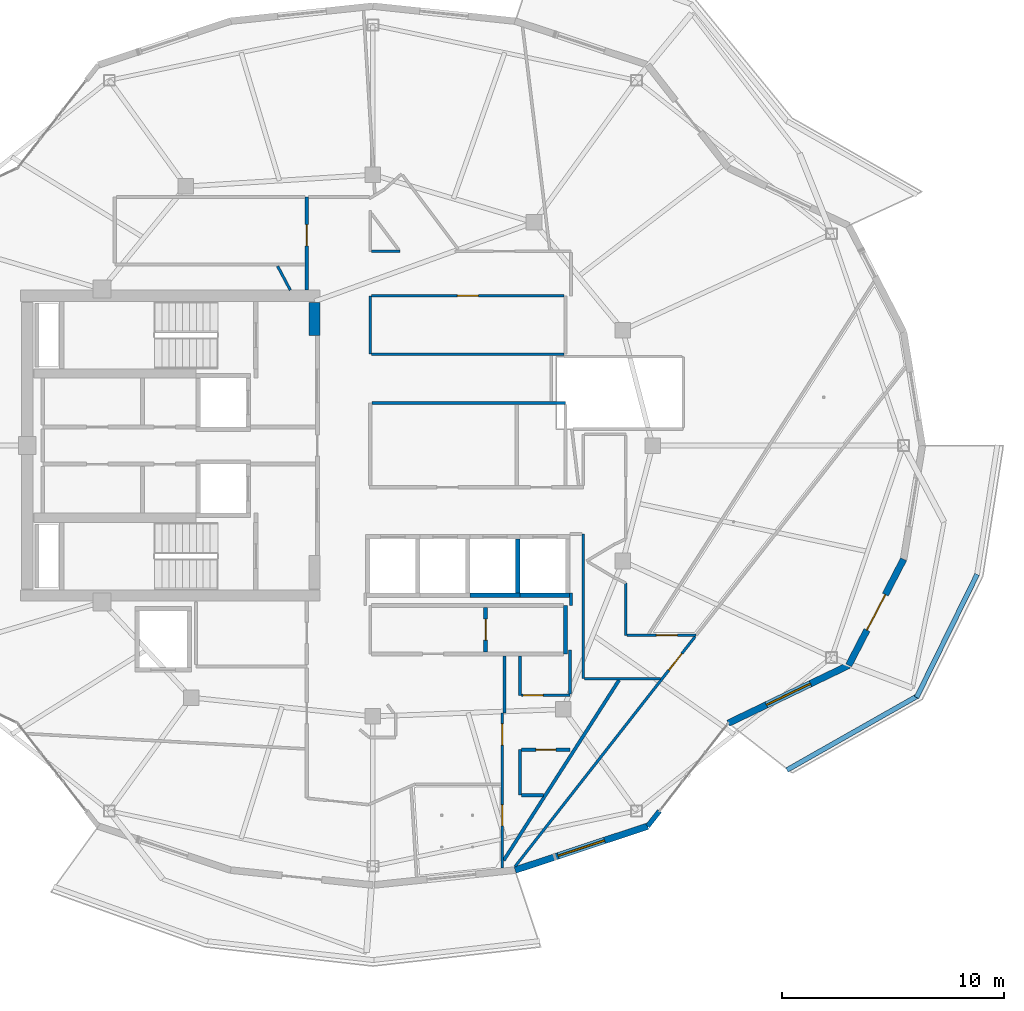
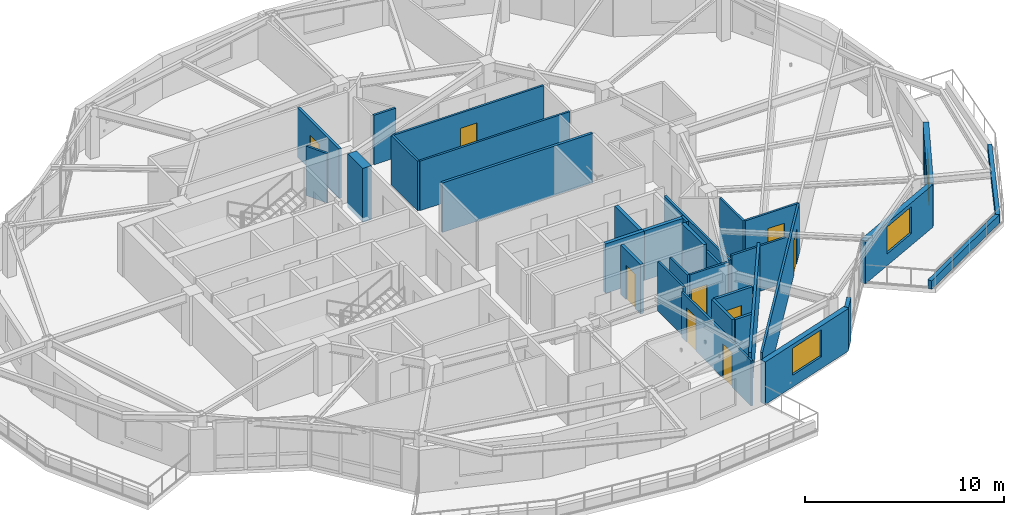
# One storey, part 9 of 19: 34 walls, 10 doors, 2 windows, 12 openings.
"""IFC4 building model written with IfcOpenShell, lengths in metres."""

import ifcopenshell
import ifcopenshell.guid

model = None  # the IFC model being written
_history = None  # IfcOwnerHistory: only IFC2X3 demands one
_inside = {}  # id of a spatial element -> (the spatial element, [elements in it])
_under = {}  # id of a project, library or spatial element -> (it, [spatial elements below it])
_declared = {}  # id of a project -> (the project, [libraries it declares])
_typed = {}  # id of a type object -> (the type object, [elements of that type])
_made_of = {}  # id of a material, layer set ... -> (it, [elements and type objects made of it])


def new_model(schema):
    """Start an empty IFC model of exactly this schema.

    Asked for "IFC4X3", IfcOpenShell would pick the latest addendum, in which some entities
    have other attributes; the version numbers below select the first issue.
    IFC2X3 requires an IfcOwnerHistory on every rooted entity: one is made here for all.
    """
    global model, _history
    if schema == "IFC4X3":
        model = ifcopenshell.file(schema_version=(4, 3, 0, 0))
    else:
        model = ifcopenshell.file(schema=schema)
    _inside.clear()
    _under.clear()
    _declared.clear()
    _typed.clear()
    _made_of.clear()
    _history = None
    if model.schema == "IFC2X3":
        org = make("IfcOrganization", Name="unknown")
        user = make(
            "IfcPersonAndOrganization",
            ThePerson=make("IfcPerson", FamilyName="unknown"),
            TheOrganization=org,
        )
        app = make(
            "IfcApplication",
            ApplicationDeveloper=org,
            Version="unknown",
            ApplicationFullName="unknown",
            ApplicationIdentifier="unknown",
        )
        _history = make(
            "IfcOwnerHistory",
            OwningUser=user,
            OwningApplication=app,
            ChangeAction="ADDED",
            CreationDate=0,
        )
    return model


def make(cls, **values):
    """One entity of the class cls with the attributes given. An attribute that is None is left unset."""
    return model.create_entity(
        cls, **{name: value for name, value in values.items() if value is not None}
    )


def rooted(cls, **values):
    """An entity with a GlobalId (a new one), such as an element, a storey or a relation."""
    return make(cls, GlobalId=ifcopenshell.guid.new(), OwnerHistory=_history, **values)


def si_unit(unit_type, name, prefix=None):
    """IfcSIUnit, for example si_unit("LENGTHUNIT", "METRE", prefix="MILLI")."""
    return make("IfcSIUnit", UnitType=unit_type, Prefix=prefix, Name=name)


def assignment(units):
    """IfcUnitAssignment: the units of a project."""
    return None if units is None else make("IfcUnitAssignment", Units=units)


def point(xyz):
    """IfcCartesianPoint."""
    return None if xyz is None else make("IfcCartesianPoint", Coordinates=xyz)


def direction(xyz):
    """IfcDirection."""
    return None if xyz is None else make("IfcDirection", DirectionRatios=xyz)


def frame(location, z_axis=None, x_axis=None):
    """IfcAxis2Placement3D, a coordinate frame: its origin and axes. An axis left out is left unset."""
    return make(
        "IfcAxis2Placement3D",
        Location=point(location),
        Axis=direction(z_axis),
        RefDirection=direction(x_axis),
    )


def frame_2d(location, x_axis=None):
    """IfcAxis2Placement2D, a coordinate frame in the plane: its origin and x axis."""
    return make(
        "IfcAxis2Placement2D", Location=point(location), RefDirection=direction(x_axis)
    )


def origin():
    """The frame at (0, 0, 0) with its axes left unset."""
    return frame((0.0, 0.0, 0.0))


def place(relative_to, where):
    """IfcLocalPlacement: puts the frame where relative to a parent placement (None: the world)."""
    return make(
        "IfcLocalPlacement", PlacementRelTo=relative_to, RelativePlacement=where
    )


def context(
    kind, dimensions, precision=None, world=None, true_north=None, identifier=None
):
    """IfcGeometricRepresentationContext, for example the 3D "Model" context."""
    return make(
        "IfcGeometricRepresentationContext",
        ContextIdentifier=identifier,
        ContextType=kind,
        CoordinateSpaceDimension=dimensions,
        Precision=precision,
        WorldCoordinateSystem=world,
        TrueNorth=true_north,
    )


def subcontext(parent, identifier, kind, view, scale=None):
    """IfcGeometricRepresentationSubContext, for example "Body" below "Model"."""
    return make(
        "IfcGeometricRepresentationSubContext",
        ContextIdentifier=identifier,
        ContextType=kind,
        ParentContext=parent,
        TargetScale=scale,
        TargetView=view,
    )


def project(units=None, contexts=None):
    """IfcProject with its units and contexts."""
    return rooted(
        "IfcProject",
        Name="project",
        RepresentationContexts=contexts,
        UnitsInContext=assignment(units),
    )


def spatial(cls, under=None, at=None, **own):
    """A site, building, storey or space (cls), placed at a placement, below another one or the project."""
    s = rooted(cls, ObjectPlacement=at, **own)
    if under is not None:
        _under.setdefault(under.id(), (under, []))[1].append(s)
    return s


def profile(cls, at=None, kind="AREA", **sizes):
    """A parametric profile (cls). Its sizes go by their IFC names, for example OverallWidth=200.0."""
    return make(cls, ProfileType=kind, Position=at, **sizes)


def rectangle(**sizes):
    """IfcRectangleProfileDef."""
    return profile("IfcRectangleProfileDef", **sizes)


def extrude(swept, where, along, depth):
    """IfcExtrudedAreaSolid: the profile swept, set in the frame where, extruded along a direction by depth."""
    return make(
        "IfcExtrudedAreaSolid",
        SweptArea=swept,
        Position=where,
        ExtrudedDirection=direction(along),
        Depth=depth,
    )


def shape(context_of_items, identifier, shape_type, items):
    """IfcShapeRepresentation: the items that make up one representation, for example the "Body"."""
    return make(
        "IfcShapeRepresentation",
        ContextOfItems=context_of_items,
        RepresentationIdentifier=identifier,
        RepresentationType=shape_type,
        Items=items,
    )


def material(Name=None, Category=None):
    """IfcMaterial."""
    return make("IfcMaterial", Name=Name, Category=Category)


def layer(
    of_material, thickness, ventilated=None, Name=None, Category=None, Priority=None
):
    """IfcMaterialLayer: one layer of a wall or slab, of a material (None: an air gap)."""
    return make(
        "IfcMaterialLayer",
        Material=of_material,
        LayerThickness=thickness,
        IsVentilated=ventilated,
        Name=Name,
        Category=Category,
        Priority=Priority,
    )


def layer_set(layers, Name=None):
    """IfcMaterialLayerSet."""
    return make("IfcMaterialLayerSet", MaterialLayers=layers, LayerSetName=Name)


def made_of(thing, what):
    """Note that an element or type object is made of a material, layer set ...; save() writes the relation."""
    if what is not None:
        _made_of.setdefault(what.id(), (what, []))[1].append(thing)
    return thing


def type_object(cls, material=None, **own):
    """A type object (cls), such as IfcWallType, which elements share."""
    return made_of(rooted(cls, **own), material)


def element(
    cls,
    number,
    at=None,
    inside=None,
    cuts=None,
    type_object=None,
    material=None,
    context=None,
    identifier="Body",
    shape_type=None,
    held_by="IfcProductDefinitionShape",
    body=None,
    shapes=None,
    **own,
):
    """One element of the class cls, such as IfcWall. Its Tag is "e" and its number.

    at: its placement. inside: the storey or other place that contains it. cuts: it is an
    opening in that element (IfcRelVoidsElement). A single representation is given by context,
    identifier, shape_type and body (its items); several are given by shapes. held_by: the class
    of the entity that holds the representations. save() writes the other relations.
    """
    e = rooted(cls, Tag="e%d" % number, ObjectPlacement=at, **own)
    if body is not None:
        shapes = [shape(context, identifier, shape_type, body)]
    if shapes is not None:
        e.Representation = make(held_by, Representations=shapes)
    if inside is not None:
        _inside.setdefault(inside.id(), (inside, []))[1].append(e)
    if cuts is not None:
        rooted(
            "IfcRelVoidsElement", RelatingBuildingElement=cuts, RelatedOpeningElement=e
        )
    if type_object is not None:
        _typed.setdefault(type_object.id(), (type_object, []))[1].append(e)
    return made_of(e, material)


def fill(opening, filler):
    """IfcRelFillsElement: the door or window that sits in an opening."""
    return rooted(
        "IfcRelFillsElement",
        RelatingOpeningElement=opening,
        RelatedBuildingElement=filler,
    )


def aggregate(whole, parts):
    """IfcRelAggregates: a whole, such as a stair, and the parts it consists of."""
    return rooted("IfcRelAggregates", RelatingObject=whole, RelatedObjects=parts)


def save(model, path):
    """Write the relations noted so far, then the file.

    IfcRelAggregates (storeys below a building ...), IfcRelContainedInSpatialStructure (elements
    in a storey), IfcRelDefinesByType, IfcRelAssociatesMaterial and IfcRelDeclares: one each for
    every whole, place, type object, material and project.
    """
    for whole, parts in _under.values():
        aggregate(whole, parts)
    for where, things in _inside.values():
        rooted(
            "IfcRelContainedInSpatialStructure",
            RelatedElements=things,
            RelatingStructure=where,
        )
    for kind, things in _typed.values():
        rooted("IfcRelDefinesByType", RelatedObjects=things, RelatingType=kind)
    for what, things in _made_of.values():
        rooted("IfcRelAssociatesMaterial", RelatedObjects=things, RelatingMaterial=what)
    for by, libraries in _declared.values():
        rooted("IfcRelDeclares", RelatingContext=by, RelatedDefinitions=libraries)
    model.write(path)


model = new_model("IFC4")

# Units and contexts
model_context = context("Model", 3, precision=1e-05, world=origin(), true_north=direction((0.0, 1.0)))
body_context = subcontext(model_context, "Body", "Model", "MODEL_VIEW")
ifc_project = project(units=[si_unit("LENGTHUNIT", "METRE"), si_unit("AREAUNIT", "SQUARE_METRE"), si_unit("VOLUMEUNIT", "CUBIC_METRE"), si_unit("PLANEANGLEUNIT", "RADIAN"), si_unit("MASSUNIT", "GRAM", prefix="KILO")], contexts=[model_context])

# Site, building, storey
site_placement = place(None, origin())
site = spatial("IfcSite", under=ifc_project, at=site_placement, CompositionType="ELEMENT")
building_placement = place(site_placement, origin())
building = spatial("IfcBuilding", under=site, at=building_placement, Name="Kolvaren Gate Tower and Convention Centre", CompositionType="ELEMENT")
storey_placement = place(building_placement, frame((0.0, 0.0, 212.89990234375)))
storey = spatial("IfcBuildingStorey", under=building, at=storey_placement, Name="L56", CompositionType="ELEMENT", Elevation=212.89990234375)

# Wall
ifc_material_1 = material(Name="Autoclaved Aerated Masonry Blockwork Class 4 (4.0 MPa)", Category="masonry")
ifc_layer_1 = layer(ifc_material_1, 0.179931640625)
ifc_layer_set_1 = layer_set([ifc_layer_1], Name="Autoclaved Aerated Masonry Blockwork Class 4 (4.0 MPa)")
wall_type_1 = type_object("IfcWallType", Name="ARCH-WL-COMP-180", PredefinedType="SOLIDWALL", material=ifc_layer_set_1)
wall_1_placement = place(storey_placement, frame((38.800048828125, 17.6201171875, 0.0), z_axis=(0.0, 0.0, 1.0), x_axis=(0.0, 1.0, 0.0)))
element("IfcWall", 1, at=wall_1_placement, inside=storey, type_object=wall_type_1, Name="Interior Partition WL-L56-INT-020", PredefinedType="SOLIDWALL", context=body_context, shape_type="SweptSolid", body=[
    extrude(rectangle(XDim=2.179931640625, YDim=0.179931640625, at=frame_2d((1.08984375, 0.0))), origin(), (0.0, 0.0, 1.0), 3.030029296875),
])

# Wall, opening, door
wall_2_placement = place(storey_placement, frame((35.199951171875, 17.7119140625, 0.0), z_axis=(0.0, 0.0, 1.0), x_axis=(0.0, 1.0, 0.0)))
wall_2 = element("IfcWall", 2, at=wall_2_placement, inside=storey, type_object=wall_type_1, Name="Interior Partition WL-L56-INT-027", PredefinedType="SOLIDWALL", context=body_context, shape_type="SweptSolid", body=[
    extrude(rectangle(XDim=1.99609375, YDim=0.179931640625, at=frame_2d((0.998046875, 0.0))), origin(), (0.0, 0.0, 1.0), 3.030029296875),
])
opening_1_placement = place(wall_2_placement, frame((0.52294921875, 0.0, 0.0)))
opening_1 = element("IfcOpeningElement", 3, at=opening_1_placement, cuts=wall_2, Name="Opening DR-01", PredefinedType="OPENING", context=body_context, shape_type="SweptSolid", body=[
    extrude(rectangle(XDim=0.949951171875, YDim=2.10009765625, at=frame_2d((0.47509765625, 1.050048828125))), frame((0.0, 0.099853515625, 0.0), z_axis=(0.0, -1.0, 0.0), x_axis=(1.0, 0.0, 0.0)), (0.0, 0.0, 1.0), 0.199951171875),
])
ifc_material_2 = material(Name="Painted Architectural Steelwork ASTM A500 Grade C 345 MPa", Category="steel")
door_type_1 = type_object("IfcDoorType", Name="ARCH-DR-RISER-950", OperationType="SINGLE_SWING_RIGHT", PredefinedType="DOOR", material=ifc_material_2)
door_1_placement = place(opening_1_placement, origin())
door_1 = element("IfcDoor", 4, at=door_1_placement, inside=storey, type_object=door_type_1, Name="Smart-Metering Room Door", OperationType="SINGLE_SWING_LEFT", OverallHeight=2.10009765625, OverallWidth=0.949951171875, PredefinedType="DOOR", context=body_context, shape_type="SweptSolid", body=[
    extrude(rectangle(XDim=0.949951171875, YDim=2.10009765625, at=frame_2d((0.47509765625, 1.050048828125))), frame((0.0, 0.02490234375, 0.0), z_axis=(0.0, -1.0, 0.0), x_axis=(1.0, 0.0, 0.0)), (0.0, 0.0, 1.0), 0.050048828125),
])
fill(opening_1, door_1)

# Walls
ifc_material_3 = material(Name="Fire-Rated Acoustic Gypsum Stud Partition", Category="gypsum")
ifc_layer_2 = layer(ifc_material_3, 0.1201171875)
ifc_layer_set_2 = layer_set([ifc_layer_2], Name="Fire-Rated Acoustic Gypsum Stud Partition")
wall_type_2 = type_object("IfcWallType", Name="ARCH-WL-PART-120", PredefinedType="PARTITIONING", material=ifc_layer_set_2)
wall_3_placement = place(storey_placement, frame((30.0, 31.1201171875, 0.0), z_axis=(0.0, 0.0, 1.0), x_axis=(0.0, 1.0, 0.0)))
element("IfcWall", 5, at=wall_3_placement, inside=storey, type_object=wall_type_2, Name="Interior Partition WL-L56-INT-016", PredefinedType="PARTITIONING", context=body_context, shape_type="SweptSolid", body=[
    extrude(rectangle(XDim=2.6298828125, YDim=0.1201171875, at=frame_2d((1.31494140625, 0.0))), origin(), (0.0, 0.0, 1.0), 3.030029296875),
])
wall_4_placement = place(storey_placement, frame((30.06201171875, 31.1201171875, 0.0), z_axis=(0.0, 0.0, 1.0), x_axis=(1.0, 0.0, 0.0)))
element("IfcWall", 6, at=wall_4_placement, inside=storey, type_object=wall_type_2, Name="Interior Partition WL-L56-INT-023", PredefinedType="PARTITIONING", context=body_context, shape_type="SweptSolid", body=[
    extrude(rectangle(XDim=8.676025390625, YDim=0.1201171875, at=frame_2d((4.337890625, 0.0))), origin(), (0.0, 0.0, 1.0), 3.030029296875),
])

# Wall, opening, door
wall_5_placement = place(storey_placement, frame((30.06201171875, 33.75, 0.0), z_axis=(0.0, 0.0, 1.0), x_axis=(1.0, 0.0, 0.0)))
wall_5 = element("IfcWall", 7, at=wall_5_placement, inside=storey, type_object=wall_type_2, Name="Interior Partition WL-L56-INT-024", PredefinedType="PARTITIONING", context=body_context, shape_type="SweptSolid", body=[
    extrude(rectangle(XDim=8.676025390625, YDim=0.1201171875, at=frame_2d((4.337890625, 0.0))), origin(), (0.0, 0.0, 1.0), 3.030029296875),
])
opening_2_placement = place(wall_5_placement, frame((3.863037109375, 0.0, 0.0)))
opening_2 = element("IfcOpeningElement", 8, at=opening_2_placement, cuts=wall_5, Name="Opening DR-01", PredefinedType="OPENING", context=body_context, shape_type="SweptSolid", body=[
    extrude(rectangle(XDim=0.949951171875, YDim=2.10009765625, at=frame_2d((0.47509765625, 1.050048828125))), frame((0.0, 0.070068359375, 0.0), z_axis=(0.0, -1.0, 0.0), x_axis=(1.0, 0.0, 0.0)), (0.0, 0.0, 1.0), 0.14013671875),
])
door_2_placement = place(opening_2_placement, origin())
door_2 = element("IfcDoor", 9, at=door_2_placement, inside=storey, type_object=door_type_1, Name="Botanical Reading Clubroom Door", OperationType="SINGLE_SWING_RIGHT", OverallHeight=2.10009765625, OverallWidth=0.949951171875, PredefinedType="DOOR", context=body_context, shape_type="SweptSolid", body=[
    extrude(rectangle(XDim=0.949951171875, YDim=2.10009765625, at=frame_2d((0.47509765625, 1.050048828125))), frame((0.0, 0.02490234375, 0.0), z_axis=(0.0, -1.0, 0.0), x_axis=(1.0, 0.0, 0.0)), (0.0, 0.0, 1.0), 0.050048828125),
])
fill(opening_2, door_2)

# Walls
wall_6_placement = place(storey_placement, frame((30.06201171875, 35.75, 0.0), z_axis=(0.0, 0.0, 1.0), x_axis=(1.0, 0.0, 0.0)))
element("IfcWall", 10, at=wall_6_placement, inside=storey, type_object=wall_type_2, Name="Interior Partition WL-L56-INT-034", PredefinedType="PARTITIONING", context=body_context, shape_type="SweptSolid", body=[
    extrude(rectangle(XDim=1.27490234375, YDim=0.1201171875, at=frame_2d((0.637451171875, 0.0))), origin(), (0.0, 0.0, 1.0), 3.030029296875),
])
wall_7_placement = place(storey_placement, frame((39.050048828125, 19.800048828125, 0.0), z_axis=(0.0, 0.0, 1.0), x_axis=(0.0, 1.0, 0.0)))
element("IfcWall", 11, at=wall_7_placement, inside=storey, type_object=wall_type_2, Name="Interior Partition WL-L56-INT-036", PredefinedType="PARTITIONING", context=body_context, shape_type="SweptSolid", body=[
    extrude(rectangle(XDim=0.56005859375, YDim=0.1201171875, at=frame_2d((0.280029296875, 0.0))), origin(), (0.0, 0.0, 1.0), 3.030029296875),
])
wall_8_placement = place(storey_placement, frame((39.60009765625, 16.5, 0.0), z_axis=(0.0, 0.0, 1.0), x_axis=(0.0, 1.0, 0.0)))
element("IfcWall", 12, at=wall_8_placement, inside=storey, type_object=wall_type_2, Name="Interior Partition WL-L56-INT-039", PredefinedType="PARTITIONING", context=body_context, shape_type="SweptSolid", body=[
    extrude(rectangle(XDim=6.52001953125, YDim=0.1201171875, at=frame_2d((3.260009765625, 0.0))), origin(), (0.0, 0.0, 1.0), 2.47802734375),
])
wall_9_placement = place(storey_placement, frame((41.52001953125, 18.449951171875, 0.0), z_axis=(0.0, 0.0, 1.0), x_axis=(0.0, 1.0, 0.0)))
element("IfcWall", 13, at=wall_9_placement, inside=storey, type_object=wall_type_2, Name="Interior Partition WL-L56-INT-042", PredefinedType="PARTITIONING", context=body_context, shape_type="SweptSolid", body=[
    extrude(rectangle(XDim=2.35693359375, YDim=0.1201171875, at=frame_2d((1.178466796875, 0.0))), origin(), (0.0, 0.0, 1.0), 3.030029296875),
])

# Wall, opening, door
wall_10_placement = place(storey_placement, frame((41.58203125, 18.449951171875, 0.0), z_axis=(0.0, 0.0, 1.0), x_axis=(1.0, 0.0, 0.0)))
wall_10 = element("IfcWall", 14, at=wall_10_placement, inside=storey, type_object=wall_type_2, Name="Interior Partition WL-L56-INT-048", PredefinedType="PARTITIONING", context=body_context, shape_type="SweptSolid", body=[
    extrude(rectangle(XDim=3.10498046875, YDim=0.1201171875, at=frame_2d((1.552490234375, 0.0))), origin(), (0.0, 0.0, 1.0), 3.030029296875),
])
opening_3_placement = place(wall_10_placement, frame((1.31005859375, 0.0, 0.0)))
opening_3 = element("IfcOpeningElement", 15, at=opening_3_placement, cuts=wall_10, Name="Opening DR-01", PredefinedType="OPENING", context=body_context, shape_type="SweptSolid", body=[
    extrude(rectangle(XDim=0.949951171875, YDim=2.10009765625, at=frame_2d((0.47509765625, 1.050048828125))), frame((0.0, 0.070068359375, 0.0), z_axis=(0.0, -1.0, 0.0), x_axis=(1.0, 0.0, 0.0)), (0.0, 0.0, 1.0), 0.14013671875),
])
door_3_placement = place(opening_3_placement, origin())
door_3 = element("IfcDoor", 16, at=door_3_placement, inside=storey, type_object=door_type_1, Name="Resident Quiet Study Office Door", OperationType="SINGLE_SWING_RIGHT", OverallHeight=2.10009765625, OverallWidth=0.949951171875, PredefinedType="DOOR", context=body_context, shape_type="SweptSolid", body=[
    extrude(rectangle(XDim=0.949951171875, YDim=2.10009765625, at=frame_2d((0.47509765625, 1.050048828125))), frame((0.0, 0.02490234375, 0.0), z_axis=(0.0, -1.0, 0.0), x_axis=(1.0, 0.0, 0.0)), (0.0, 0.0, 1.0), 0.050048828125),
])
fill(opening_3, door_3)

wall_11_placement = place(storey_placement, frame((36.527099609375, 8.03369140625, 0.0), z_axis=(0.0, 0.0, 1.0), x_axis=(0.616547497682, 0.787317714206, 0.0)))
wall_11 = element("IfcWall", 17, at=wall_11_placement, inside=storey, type_object=wall_type_2, Name="Interior Partition WL-L56-INT-049", PredefinedType="PARTITIONING", context=body_context, shape_type="SweptSolid", body=[
    extrude(rectangle(XDim=13.1513671875, YDim=0.1201171875, at=frame_2d((6.57568359375, 0.0))), origin(), (0.0, 0.0, 1.0), 3.030029296875),
])
opening_4_placement = place(wall_11_placement, frame((11.239990234375, 0.0, 0.0)))
opening_4 = element("IfcOpeningElement", 18, at=opening_4_placement, cuts=wall_11, Name="Opening DR-01", PredefinedType="OPENING", context=body_context, shape_type="SweptSolid", body=[
    extrude(rectangle(XDim=0.949951171875, YDim=2.10009765625, at=frame_2d((0.47509765625, 1.050048828125))), frame((0.0, 0.070068359375, 0.0), z_axis=(0.0, -1.0, 0.0), x_axis=(1.0, 0.0, 0.0)), (0.0, 0.0, 1.0), 0.14013671875),
])
door_4_placement = place(opening_4_placement, origin())
door_4 = element("IfcDoor", 19, at=door_4_placement, inside=storey, type_object=door_type_1, Name="Resident Private Study and Home Office Door", OperationType="SINGLE_SWING_LEFT", OverallHeight=2.10009765625, OverallWidth=0.949951171875, PredefinedType="DOOR", context=body_context, shape_type="SweptSolid", body=[
    extrude(rectangle(XDim=0.949951171875, YDim=2.10009765625, at=frame_2d((0.47509765625, 1.050048828125))), frame((0.0, 0.02490234375, 0.0), z_axis=(0.0, -1.0, 0.0), x_axis=(1.0, 0.0, 0.0)), (0.0, 0.0, 1.0), 0.050048828125),
])
fill(opening_4, door_4)

# Walls
wall_12_placement = place(storey_placement, frame((39.662109375, 16.5, 0.0), z_axis=(0.0, 0.0, 1.0), x_axis=(1.0, 0.0, 0.0)))
element("IfcWall", 20, at=wall_12_placement, inside=storey, type_object=wall_type_2, Name="Interior Partition WL-L56-INT-050", PredefinedType="PARTITIONING", context=body_context, shape_type="SweptSolid", body=[
    extrude(rectangle(XDim=3.416015625, YDim=0.1201171875, at=frame_2d((1.7080078125, 0.0))), origin(), (0.0, 0.0, 1.0), 2.77001953125),
])
wall_13_placement = place(storey_placement, frame((36.050048828125, 14.949951171875, 0.0), z_axis=(0.0, 0.0, 1.0), x_axis=(0.0, 1.0, 0.0)))
element("IfcWall", 21, at=wall_13_placement, inside=storey, type_object=wall_type_2, Name="Interior Partition WL-L56-INT-053", PredefinedType="PARTITIONING", context=body_context, shape_type="SweptSolid", body=[
    extrude(rectangle(XDim=2.578125, YDim=0.1201171875, at=frame_2d((1.2890625, 0.0))), origin(), (0.0, 0.0, 1.0), 3.030029296875),
])

# Wall, openings, doors
wall_14_placement = place(storey_placement, frame((35.949951171875, 7.96630859375, 0.0), z_axis=(0.0, 0.0, 1.0), x_axis=(0.0, 1.0, 0.0)))
wall_14 = element("IfcWall", 22, at=wall_14_placement, inside=storey, type_object=wall_type_2, Name="Interior Partition WL-L56-INT-054", PredefinedType="PARTITIONING", context=body_context, shape_type="SweptSolid", body=[
    extrude(rectangle(XDim=6.983642578125, YDim=0.1201171875, at=frame_2d((3.49169921875, 0.0))), origin(), (0.0, 0.0, 1.0), 2.77001953125),
])
opening_5_placement = place(wall_14_placement, frame((5.543701171875, 0.0, 0.0)))
opening_5 = element("IfcOpeningElement", 23, at=opening_5_placement, cuts=wall_14, Name="Opening DR-01", PredefinedType="OPENING", context=body_context, shape_type="SweptSolid", body=[
    extrude(rectangle(XDim=0.949951171875, YDim=2.10009765625, at=frame_2d((0.47509765625, 1.050048828125))), frame((0.0, 0.070068359375, 0.0), z_axis=(0.0, -1.0, 0.0), x_axis=(1.0, 0.0, 0.0)), (0.0, 0.0, 1.0), 0.14013671875),
])
opening_6_placement = place(wall_14_placement, frame((1.90185546875, 0.0, 0.0)))
opening_6 = element("IfcOpeningElement", 24, at=opening_6_placement, cuts=wall_14, Name="Opening DI-01", PredefinedType="OPENING", context=body_context, shape_type="SweptSolid", body=[
    extrude(rectangle(XDim=0.949951171875, YDim=2.10009765625, at=frame_2d((0.47509765625, 1.050048828125))), frame((0.0, 0.070068359375, 0.0), z_axis=(0.0, -1.0, 0.0), x_axis=(1.0, 0.0, 0.0)), (0.0, 0.0, 1.0), 0.14013671875),
])
ifc_material_4 = material(Name="FSC Andean Oak Engineered Veneer Door Leaf", Category="wood")
door_type_2 = type_object("IfcDoorType", Name="ARCH-DR-INT-950", OperationType="SINGLE_SWING_LEFT", PredefinedType="DOOR", material=ifc_material_4)
door_5_placement = place(opening_6_placement, origin())
door_5 = element("IfcDoor", 25, at=door_5_placement, inside=storey, type_object=door_type_2, Name="Apartment Bedroom (APT-L56-01) Door", OperationType="SINGLE_SWING_RIGHT", OverallHeight=2.10009765625, OverallWidth=0.949951171875, PredefinedType="DOOR", context=body_context, shape_type="SweptSolid", body=[
    extrude(rectangle(XDim=0.949951171875, YDim=2.10009765625, at=frame_2d((0.47509765625, 1.050048828125))), frame((0.0, 0.02490234375, 0.0), z_axis=(0.0, -1.0, 0.0), x_axis=(1.0, 0.0, 0.0)), (0.0, 0.0, 1.0), 0.050048828125),
])
fill(opening_6, door_5)
door_6_placement = place(opening_5_placement, origin())
door_6 = element("IfcDoor", 26, at=door_6_placement, inside=storey, type_object=door_type_1, Name="Family Apartment Living and Dining Room (APT-L56-01) Door", OperationType="SINGLE_SWING_RIGHT", OverallHeight=2.10009765625, OverallWidth=0.949951171875, PredefinedType="DOOR", context=body_context, shape_type="SweptSolid", body=[
    extrude(rectangle(XDim=0.949951171875, YDim=2.10009765625, at=frame_2d((0.47509765625, 1.050048828125))), frame((0.0, 0.02490234375, 0.0), z_axis=(0.0, -1.0, 0.0), x_axis=(1.0, 0.0, 0.0)), (0.0, 0.0, 1.0), 0.050048828125),
])
fill(opening_5, door_6)

# Wall
wall_15_placement = place(storey_placement, frame((36.75, 15.75, 0.0), z_axis=(0.0, 0.0, 1.0), x_axis=(0.0, 1.0, 0.0)))
element("IfcWall", 27, at=wall_15_placement, inside=storey, type_object=wall_type_2, Name="Interior Partition WL-L56-INT-067", PredefinedType="PARTITIONING", context=body_context, shape_type="SweptSolid", body=[
    extrude(rectangle(XDim=1.778076171875, YDim=0.1201171875, at=frame_2d((0.88916015625, 0.0))), origin(), (0.0, 0.0, 1.0), 3.030029296875),
])

# Wall, opening, door
wall_16_placement = place(storey_placement, frame((36.81201171875, 15.75, 0.0), z_axis=(0.0, 0.0, 1.0), x_axis=(1.0, 0.0, 0.0)))
wall_16 = element("IfcWall", 28, at=wall_16_placement, inside=storey, type_object=wall_type_2, Name="Interior Partition WL-L56-INT-068", PredefinedType="PARTITIONING", context=body_context, shape_type="SweptSolid", body=[
    extrude(rectangle(XDim=2.18798828125, YDim=0.1201171875, at=frame_2d((1.093994140625, 0.0))), origin(), (0.0, 0.0, 1.0), 3.030029296875),
])
opening_7_placement = place(wall_16_placement, frame((0.083984375, 0.0, 0.0)))
opening_7 = element("IfcOpeningElement", 29, at=opening_7_placement, cuts=wall_16, Name="Opening DW-01", PredefinedType="OPENING", context=body_context, shape_type="SweptSolid", body=[
    extrude(rectangle(XDim=0.89990234375, YDim=2.10009765625, at=frame_2d((0.449951171875, 1.050048828125))), frame((0.0, 0.070068359375, 0.0), z_axis=(0.0, -1.0, 0.0), x_axis=(1.0, 0.0, 0.0)), (0.0, 0.0, 1.0), 0.14013671875),
])
door_type_3 = type_object("IfcDoorType", Name="ARCH-DR-WC-900", OperationType="SINGLE_SWING_RIGHT", PredefinedType="DOOR", material=ifc_material_4)
door_7_placement = place(opening_7_placement, origin())
door_7 = element("IfcDoor", 30, at=door_7_placement, inside=storey, type_object=door_type_3, Name="Apartment Fitted Kitchen (APT-L56-01) Door", OperationType="SINGLE_SWING_RIGHT", OverallHeight=2.10009765625, OverallWidth=0.89990234375, PredefinedType="DOOR", context=body_context, shape_type="SweptSolid", body=[
    extrude(rectangle(XDim=0.89990234375, YDim=2.10009765625, at=frame_2d((0.449951171875, 1.050048828125))), frame((0.0, 0.02490234375, 0.0), z_axis=(0.0, -1.0, 0.0), x_axis=(1.0, 0.0, 0.0)), (0.0, 0.0, 1.0), 0.050048828125),
])
fill(opening_7, door_7)

# Walls
wall_17_placement = place(storey_placement, frame((39.0, 15.81201171875, 0.0), z_axis=(0.0, 0.0, 1.0), x_axis=(0.0, 1.0, 0.0)))
element("IfcWall", 31, at=wall_17_placement, inside=storey, type_object=wall_type_2, Name="Interior Partition WL-L56-INT-069", PredefinedType="PARTITIONING", context=body_context, shape_type="SweptSolid", body=[
    extrude(rectangle(XDim=1.988037109375, YDim=0.1201171875, at=frame_2d((0.994140625, 0.0))), origin(), (0.0, 0.0, 1.0), 2.47802734375),
])
wall_18_placement = place(storey_placement, frame((25.830810546875, 35.0830078125, 0.0), z_axis=(0.0, 0.0, 1.0), x_axis=(0.468630025993, -0.883394531757, 0.0)))
element("IfcWall", 32, at=wall_18_placement, inside=storey, type_object=wall_type_2, Name="Interior Partition WL-L56-INT-079", PredefinedType="PARTITIONING", context=body_context, shape_type="SweptSolid", body=[
    extrude(rectangle(XDim=1.2236328125, YDim=0.1201171875, at=frame_2d((0.61181640625, 0.0))), origin(), (0.0, 0.0, 1.0), 3.030029296875),
])
ifc_material_5 = material(Name="Bogota Sabana Bush-Hammered Sandstone Cladding", Category="masonry")
ifc_layer_3 = layer(ifc_material_5, 0.219970703125)
ifc_layer_set_3 = layer_set([ifc_layer_3], Name="Bogota Sabana Bush-Hammered Sandstone Cladding")
wall_type_3 = type_object("IfcWallType", Name="ARCH-WL-PIER-220", PredefinedType="SOLIDWALL", material=ifc_layer_set_3)
wall_19_placement = place(storey_placement, frame((42.5, 9.852783203125, 0.0), z_axis=(0.0, 0.0, 1.0), x_axis=(0.61650363284, 0.787352062736, 0.0)))
element("IfcWall", 33, at=wall_19_placement, inside=storey, type_object=wall_type_3, Name="Tower L56 Unitised Curtain Wall CW-RES-UNIT Bay 20 Left Column Pier Wrap", PredefinedType="SOLIDWALL", context=body_context, shape_type="SweptSolid", body=[
    extrude(rectangle(XDim=0.8759765625, YDim=0.219970703125, at=frame_2d((0.43798828125, 0.0))), origin(), (0.0, 0.0, 1.0), 2.60498046875),
])
ifc_material_6 = material(Name="Piedmont Cream Honed Limestone Cladding", Category="masonry")
ifc_layer_4 = layer(ifc_material_6, 0.219970703125)
ifc_layer_set_4 = layer_set([ifc_layer_4], Name="Piedmont Cream Honed Limestone Cladding")
wall_type_4 = type_object("IfcWallType", Name="ARCH-WL-PLANTER-220", PredefinedType="PARAPET", material=ifc_layer_set_4)
wall_20_placement = place(storey_placement, frame((48.7763671875, 12.38330078125, 0.0), z_axis=(0.0, 0.0, 1.0), x_axis=(0.869860619267, 0.493297580623, 0.0)))
element("IfcWall", 34, at=wall_20_placement, inside=storey, type_object=wall_type_4, Name="Vertical-Forest Balcony Stone Planter Kerb PK-L56-4.1", PredefinedType="PARAPET", context=body_context, shape_type="SweptSolid", body=[
    extrude(rectangle(XDim=6.74267578125, YDim=0.219970703125, at=frame_2d((3.371337890625, 0.0))), origin(), (0.0, 0.0, 1.0), 0.52001953125),
])
wall_21_placement = place(storey_placement, frame((54.615966796875, 15.6533203125, 0.0), z_axis=(0.0, 0.0, 1.0), x_axis=(0.441640961804, 0.897191875162, 0.0)))
element("IfcWall", 35, at=wall_21_placement, inside=storey, type_object=wall_type_4, Name="Vertical-Forest Balcony Stone Planter Kerb PK-L56-4.2", PredefinedType="PARAPET", context=body_context, shape_type="SweptSolid", body=[
    extrude(rectangle(XDim=6.17822265625, YDim=0.219970703125, at=frame_2d((3.089111328125, 0.0))), origin(), (0.0, 0.0, 1.0), 0.52001953125),
])
ifc_layer_5 = layer(ifc_material_1, 0.199951171875)
ifc_layer_set_5 = layer_set([ifc_layer_5], Name="Autoclaved Aerated Masonry Blockwork Class 4 (4.0 MPa)")
wall_type_5 = type_object("IfcWallType", Name="ARCH-WL-SHAFT-200", PredefinedType="SOLIDWALL", material=ifc_layer_set_5)
wall_22_placement = place(storey_placement, frame((34.5, 20.25, 0.0), z_axis=(0.0, 0.0, 1.0), x_axis=(1.0, 0.0, 0.0)))
element("IfcWall", 36, at=wall_22_placement, inside=storey, type_object=wall_type_5, Name="Elevator PL-11 L56 Fire Shaft Wall S", PredefinedType="SOLIDWALL", context=body_context, shape_type="SweptSolid", body=[
    extrude(rectangle(XDim=2.25, YDim=0.199951171875, at=frame_2d((1.125, 0.0))), origin(), (0.0, 0.0, 1.0), 3.030029296875),
])
wall_23_placement = place(storey_placement, frame((36.64990234375, 20.360107421875, 0.0), z_axis=(0.0, 0.0, 1.0), x_axis=(0.0, 1.0, 0.0)))
element("IfcWall", 37, at=wall_23_placement, inside=storey, type_object=wall_type_5, Name="Elevator PL-11 L56 Fire Shaft Wall E", PredefinedType="SOLIDWALL", context=body_context, shape_type="SweptSolid", body=[
    extrude(rectangle(XDim=2.429931640625, YDim=0.199951171875, at=frame_2d((1.21484375, 0.0))), origin(), (0.0, 0.0, 1.0), 3.030029296875),
])
wall_24_placement = place(storey_placement, frame((36.75, 20.25, 0.0), z_axis=(0.0, 0.0, 1.0), x_axis=(1.0, 0.0, 0.0)))
element("IfcWall", 38, at=wall_24_placement, inside=storey, type_object=wall_type_5, Name="Elevator PL-12 L56 Fire Shaft Wall S", PredefinedType="SOLIDWALL", context=body_context, shape_type="SweptSolid", body=[
    extrude(rectangle(XDim=2.25, YDim=0.199951171875, at=frame_2d((1.125, 0.0))), origin(), (0.0, 0.0, 1.0), 3.030029296875),
])

# Wall, opening, window
ifc_layer_6 = layer(ifc_material_6, 0.300048828125)
ifc_layer_set_6 = layer_set([ifc_layer_6], Name="Piedmont Cream Honed Limestone Cladding")
wall_type_6 = type_object("IfcWallType", Name="ARCH-WL-STONE-300", PredefinedType="SOLIDWALL", material=ifc_layer_set_6)
wall_25_placement = place(storey_placement, frame((36.53076171875, 7.874755859375, 0.0), z_axis=(0.0, 0.0, 1.0), x_axis=(0.949240877604, 0.314550085495, 0.0)))
wall_25 = element("IfcWall", 39, at=wall_25_placement, inside=storey, type_object=wall_type_6, Name="Tower L56 Honed Stone Spandrel Wall EW-19", PredefinedType="SOLIDWALL", context=body_context, shape_type="SweptSolid", body=[
    extrude(rectangle(XDim=6.288330078125, YDim=0.300048828125, at=frame_2d((3.14404296875, 0.0))), origin(), (0.0, 0.0, 1.0), 2.60498046875),
])
opening_8_placement = place(wall_25_placement, frame((2.0439453125, 0.0, 0.719970703125)))
opening_8 = element("IfcOpeningElement", 40, at=opening_8_placement, cuts=wall_25, Name="Opening W-03", PredefinedType="OPENING", context=body_context, shape_type="SweptSolid", body=[
    extrude(rectangle(XDim=2.199951171875, YDim=1.64990234375, at=frame_2d((1.10009765625, 0.824951171875))), frame((0.0, 0.159912109375, 0.0), z_axis=(0.0, -1.0, 0.0), x_axis=(1.0, 0.0, 0.0)), (0.0, 0.0, 1.0), 0.320068359375),
])
ifc_material_7 = material(Name="Low-E Triple Insulated Glazing Unit 44 mm", Category="glass")
window_type = type_object("IfcWindowType", Name="ARCH-WN-RES-2200", PartitioningType="SINGLE_PANEL", PredefinedType="WINDOW", material=ifc_material_7)
window_1_placement = place(opening_8_placement, origin())
window_1 = element("IfcWindow", 41, at=window_1_placement, inside=storey, type_object=window_type, Name="Tower L56 Punched Stone Facade Window W-19", OverallHeight=1.64990234375, OverallWidth=2.199951171875, PartitioningType="SINGLE_PANEL", PredefinedType="WINDOW", context=body_context, shape_type="SweptSolid", body=[
    extrude(rectangle(XDim=2.199951171875, YDim=1.64990234375, at=frame_2d((1.10009765625, 0.824951171875))), frame((0.0, 0.030029296875, 0.0), z_axis=(0.0, -1.0, 0.0), x_axis=(1.0, 0.0, 0.0)), (0.0, 0.0, 1.0), 0.06005859375),
])
fill(opening_8, window_1)

wall_26_placement = place(storey_placement, frame((46.132568359375, 14.49267578125, 0.0), z_axis=(0.0, 0.0, 1.0), x_axis=(0.901348331142, 0.433094892545, 0.0)))
wall_26 = element("IfcWall", 42, at=wall_26_placement, inside=storey, type_object=wall_type_6, Name="Tower L56 Honed Stone Spandrel Wall EW-21", PredefinedType="SOLIDWALL", context=body_context, shape_type="SweptSolid", body=[
    extrude(rectangle(XDim=6.0205078125, YDim=0.300048828125, at=frame_2d((3.01025390625, 0.0))), origin(), (0.0, 0.0, 1.0), 2.60498046875),
])
opening_9_placement = place(wall_26_placement, frame((1.909912109375, 0.0, 0.719970703125)))
opening_9 = element("IfcOpeningElement", 43, at=opening_9_placement, cuts=wall_26, Name="Opening W-03", PredefinedType="OPENING", context=body_context, shape_type="SweptSolid", body=[
    extrude(rectangle(XDim=2.199951171875, YDim=1.64990234375, at=frame_2d((1.10009765625, 0.824951171875))), frame((0.0, 0.159912109375, 0.0), z_axis=(0.0, -1.0, 0.0), x_axis=(1.0, 0.0, 0.0)), (0.0, 0.0, 1.0), 0.320068359375),
])
window_2_placement = place(opening_9_placement, origin())
window_2 = element("IfcWindow", 44, at=window_2_placement, inside=storey, type_object=window_type, Name="Tower L56 Punched Stone Facade Window W-21", OverallHeight=1.64990234375, OverallWidth=2.199951171875, PartitioningType="SINGLE_PANEL", PredefinedType="WINDOW", context=body_context, shape_type="SweptSolid", body=[
    extrude(rectangle(XDim=2.199951171875, YDim=1.64990234375, at=frame_2d((1.10009765625, 0.824951171875))), frame((0.0, 0.030029296875, 0.0), z_axis=(0.0, -1.0, 0.0), x_axis=(1.0, 0.0, 0.0)), (0.0, 0.0, 1.0), 0.06005859375),
])
fill(opening_9, window_2)

# Wall, opening, door
wall_27_placement = place(storey_placement, frame((51.55908203125, 17.10009765625, 0.0), z_axis=(0.0, 0.0, 1.0), x_axis=(0.459808219482, 0.888018243786, 0.0)))
wall_27 = element("IfcWall", 45, at=wall_27_placement, inside=storey, type_object=wall_type_6, Name="Tower L56 Honed Stone Spandrel Wall EW-22", PredefinedType="SOLIDWALL", context=body_context, shape_type="SweptSolid", body=[
    extrude(rectangle(XDim=5.377685546875, YDim=0.300048828125, at=frame_2d((2.68896484375, 0.0))), origin(), (0.0, 0.0, 1.0), 2.60498046875),
])
opening_10_placement = place(wall_27_placement, frame((1.7890625, 0.0, 0.0)))
opening_10 = element("IfcOpeningElement", 46, at=opening_10_placement, cuts=wall_27, Name="Opening DB-01", PredefinedType="OPENING", context=body_context, shape_type="SweptSolid", body=[
    extrude(rectangle(XDim=1.800048828125, YDim=2.25, at=frame_2d((0.89990234375, 1.125))), frame((0.0, 0.159912109375, 0.0), z_axis=(0.0, -1.0, 0.0), x_axis=(1.0, 0.0, 0.0)), (0.0, 0.0, 1.0), 0.320068359375),
])
ifc_material_8 = material(Name="Anodized Architectural Aluminium Alloy 6063-T6", Category="aluminium")
door_type_4 = type_object("IfcDoorType", Name="ARCH-DR-BALC-1800", OperationType="SLIDING_TO_LEFT", PredefinedType="DOOR", material=ifc_material_8)
door_8_placement = place(opening_10_placement, frame((1.800048828125, 0.0, 0.0), z_axis=(0.0, 0.0, 1.0), x_axis=(-1.0, 0.0, 0.0)))
door_8 = element("IfcDoor", 47, at=door_8_placement, inside=storey, type_object=door_type_4, Name="Planted Sky Terrace Access Door DB-L56-22", OperationType="SLIDING_TO_LEFT", OverallHeight=2.25, OverallWidth=1.800048828125, PredefinedType="DOOR", context=body_context, shape_type="SweptSolid", body=[
    extrude(rectangle(XDim=1.800048828125, YDim=2.25, at=frame_2d((0.89990234375, 1.125))), frame((0.0, 0.02490234375, 0.0), z_axis=(0.0, -1.0, 0.0), x_axis=(1.0, 0.0, 0.0)), (0.0, 0.0, 1.0), 0.050048828125),
])
fill(opening_10, door_8)

ifc_material_9 = material(Name="Moisture-Resistant Cement-Board Acoustic Partition", Category="gypsum")
ifc_layer_7 = layer(ifc_material_9, 0.14990234375)
ifc_layer_set_7 = layer_set([ifc_layer_7], Name="Moisture-Resistant Cement-Board Acoustic Partition")
wall_type_7 = type_object("IfcWallType", Name="ARCH-WL-WET-150", PredefinedType="PARTITIONING", material=ifc_layer_set_7)
wall_28_placement = place(storey_placement, frame((27.14990234375, 34.001953125, 0.0), z_axis=(0.0, 0.0, 1.0), x_axis=(0.0, 1.0, 0.0)))
wall_28 = element("IfcWall", 48, at=wall_28_placement, inside=storey, type_object=wall_type_7, Name="Interior Partition WL-L56-INT-012", PredefinedType="PARTITIONING", context=body_context, shape_type="SweptSolid", body=[
    extrude(rectangle(XDim=4.197998046875, YDim=0.14990234375, at=frame_2d((2.09912109375, 0.0))), origin(), (0.0, 0.0, 1.0), 3.030029296875),
])
opening_11_placement = place(wall_28_placement, frame((1.998046875, 0.0, 0.0)))
opening_11 = element("IfcOpeningElement", 49, at=opening_11_placement, cuts=wall_28, Name="Opening DR-01", PredefinedType="OPENING", context=body_context, shape_type="SweptSolid", body=[
    extrude(rectangle(XDim=0.949951171875, YDim=2.10009765625, at=frame_2d((0.47509765625, 1.050048828125))), frame((0.0, 0.0849609375, 0.0), z_axis=(0.0, -1.0, 0.0), x_axis=(1.0, 0.0, 0.0)), (0.0, 0.0, 1.0), 0.169921875),
])
door_9_placement = place(opening_11_placement, origin())
door_9 = element("IfcDoor", 50, at=door_9_placement, inside=storey, type_object=door_type_1, Name="Reclaimed North Resident Store Door", OperationType="SINGLE_SWING_RIGHT", OverallHeight=2.10009765625, OverallWidth=0.949951171875, PredefinedType="DOOR", context=body_context, shape_type="SweptSolid", body=[
    extrude(rectangle(XDim=0.949951171875, YDim=2.10009765625, at=frame_2d((0.47509765625, 1.050048828125))), frame((0.0, 0.02490234375, 0.0), z_axis=(0.0, -1.0, 0.0), x_axis=(1.0, 0.0, 0.0)), (0.0, 0.0, 1.0), 0.050048828125),
])
fill(opening_11, door_9)

# Walls
wall_29_placement = place(storey_placement, frame((30.076904296875, 28.919921875, 0.0), z_axis=(0.0, 0.0, 1.0), x_axis=(1.0, 0.0, 0.0)))
element("IfcWall", 51, at=wall_29_placement, inside=storey, type_object=wall_type_7, Name="Interior Partition WL-L56-INT-018", PredefinedType="PARTITIONING", context=body_context, shape_type="SweptSolid", body=[
    extrude(rectangle(XDim=8.72314453125, YDim=0.14990234375, at=frame_2d((4.361572265625, 0.0))), origin(), (0.0, 0.0, 1.0), 3.030029296875),
])
wall_30_placement = place(storey_placement, frame((36.75, 11.25, 0.0), z_axis=(0.0, 0.0, 1.0), x_axis=(0.0, 1.0, 0.0)))
element("IfcWall", 52, at=wall_30_placement, inside=storey, type_object=wall_type_7, Name="Interior Partition WL-L56-INT-066", PredefinedType="PARTITIONING", context=body_context, shape_type="SweptSolid", body=[
    extrude(rectangle(XDim=2.050048828125, YDim=0.14990234375, at=frame_2d((1.02490234375, 0.0))), origin(), (0.0, 0.0, 1.0), 3.030029296875),
])
wall_31_placement = place(storey_placement, frame((36.011962890625, 8.306640625, 0.0), z_axis=(0.0, 0.0, 1.0), x_axis=(0.539002742545, 0.842304008971, 0.0)))
element("IfcWall", 53, at=wall_31_placement, inside=storey, type_object=wall_type_7, Name="Interior Partition WL-L56-INT-070", PredefinedType="PARTITIONING", context=body_context, shape_type="SweptSolid", body=[
    extrude(rectangle(XDim=9.65380859375, YDim=0.14990234375, at=frame_2d((4.826904296875, 0.0))), origin(), (0.0, 0.0, 1.0), 3.030029296875),
])

# Wall, opening, door
wall_32_placement = place(storey_placement, frame((36.826904296875, 13.300048828125, 0.0), z_axis=(0.0, 0.0, 1.0), x_axis=(1.0, 0.0, 0.0)))
wall_32 = element("IfcWall", 54, at=wall_32_placement, inside=storey, type_object=wall_type_7, Name="Interior Partition WL-L56-INT-072", PredefinedType="PARTITIONING", context=body_context, shape_type="SweptSolid", body=[
    extrude(rectangle(XDim=2.173095703125, YDim=0.14990234375, at=frame_2d((1.08642578125, 0.0))), origin(), (0.0, 0.0, 1.0), 3.030029296875),
])
opening_12_placement = place(wall_32_placement, frame((0.636474609375, 0.0, 0.0)))
opening_12 = element("IfcOpeningElement", 55, at=opening_12_placement, cuts=wall_32, Name="Opening DW-01", PredefinedType="OPENING", context=body_context, shape_type="SweptSolid", body=[
    extrude(rectangle(XDim=0.89990234375, YDim=2.10009765625, at=frame_2d((0.449951171875, 1.050048828125))), frame((0.0, 0.0849609375, 0.0), z_axis=(0.0, -1.0, 0.0), x_axis=(1.0, 0.0, 0.0)), (0.0, 0.0, 1.0), 0.169921875),
])
door_10_placement = place(opening_12_placement, origin())
door_10 = element("IfcDoor", 56, at=door_10_placement, inside=storey, type_object=door_type_3, Name="Apartment Bathroom (APT-L56-01) Door", OperationType="SINGLE_SWING_LEFT", OverallHeight=2.10009765625, OverallWidth=0.89990234375, PredefinedType="DOOR", context=body_context, shape_type="SweptSolid", body=[
    extrude(rectangle(XDim=0.89990234375, YDim=2.10009765625, at=frame_2d((0.449951171875, 1.050048828125))), frame((0.0, 0.02490234375, 0.0), z_axis=(0.0, -1.0, 0.0), x_axis=(1.0, 0.0, 0.0)), (0.0, 0.0, 1.0), 0.050048828125),
])
fill(opening_12, door_10)

# Walls
wall_33_placement = place(storey_placement, frame((36.826904296875, 11.25, 0.0), z_axis=(0.0, 0.0, 1.0), x_axis=(1.0, 0.0, 0.0)))
element("IfcWall", 57, at=wall_33_placement, inside=storey, type_object=wall_type_7, Name="Interior Partition WL-L56-INT-073", PredefinedType="PARTITIONING", context=body_context, shape_type="SweptSolid", body=[
    extrude(rectangle(XDim=0.977294921875, YDim=0.14990234375, at=frame_2d((0.48876953125, 0.0))), origin(), (0.0, 0.0, 1.0), 3.030029296875),
])
ifc_material_10 = material(Name="Concrete C50/60", Category="concrete")
ifc_layer_8 = layer(ifc_material_10, 0.5)
ifc_layer_set_8 = layer_set([ifc_layer_8], Name="Concrete C50/60")
wall_type_8 = type_object("IfcWallType", Name="STR-WL-CORE-500", PredefinedType="SHEAR", material=ifc_layer_set_8)
wall_34_placement = place(storey_placement, frame((27.5, 31.949951171875, -0.27001953125), z_axis=(0.0, 0.0, 1.0), x_axis=(0.0, 1.0, 0.0)))
element("IfcWall", 58, at=wall_34_placement, inside=storey, type_object=wall_type_8, Name="Tower L56 Offset Core Shear Wall EN", PredefinedType="SHEAR", context=body_context, shape_type="SweptSolid", body=[
    extrude(rectangle(XDim=1.5, YDim=0.5, at=frame_2d((0.75, 0.0))), origin(), (0.0, 0.0, 1.0), 3.300048828125),
])

save(model, "model.ifc")
